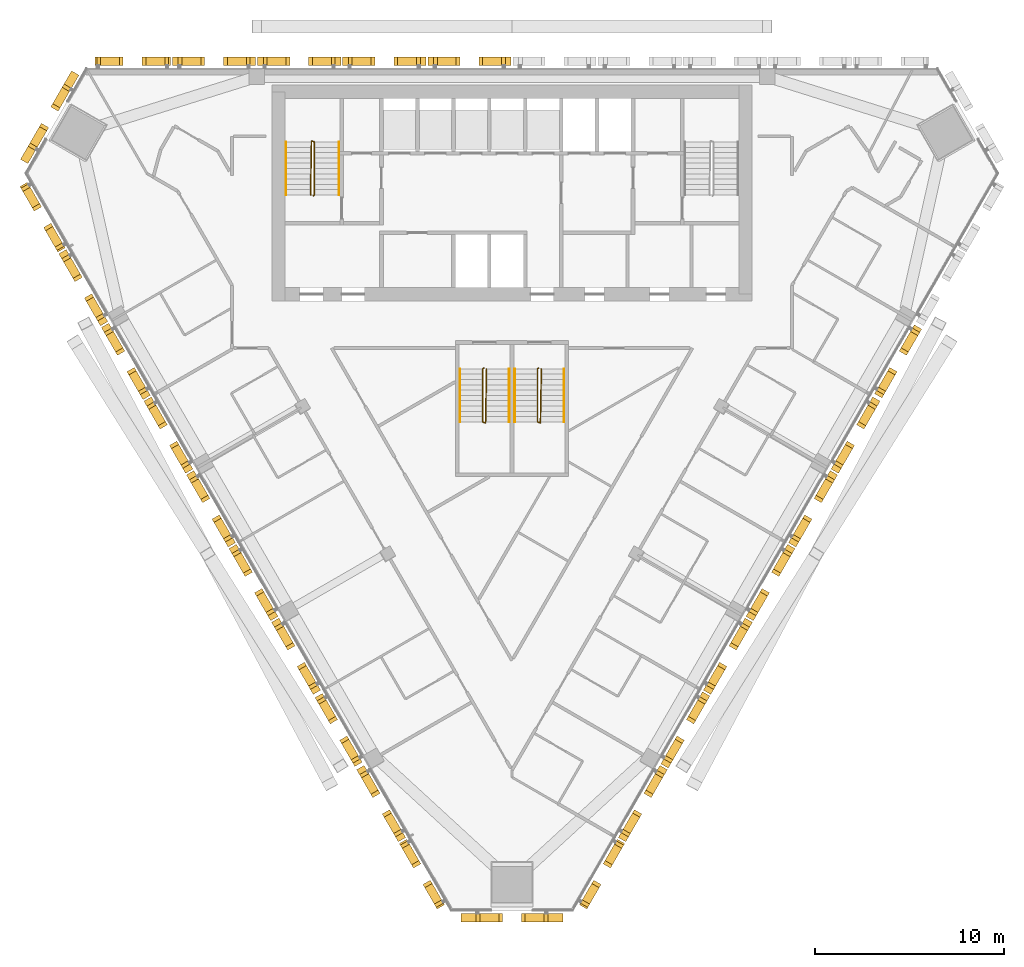
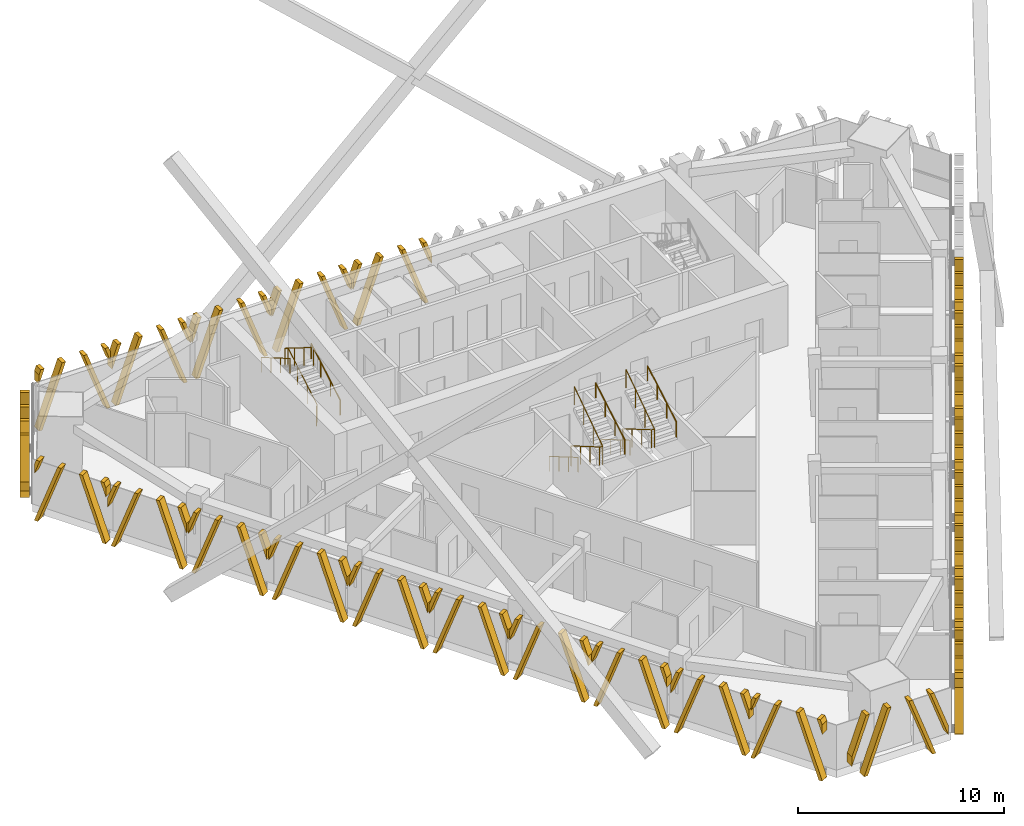
# One storey, part 15 of 17: 25 shading devices, 9 railings.
"""IFC4 building model written with IfcOpenShell, lengths in metres."""

from ifc_helpers import new_model, si_unit, direction, frame, origin, origin_2d, place, context, subcontext, project, spatial, polyline, circle, outline, extrude, source, transform, mapped, material, type_object, element, save


model = new_model("IFC4")

# Units and contexts
model_context = context("Model", 3, precision=1e-05, world=origin(), true_north=direction((0.0, 1.0)))
body_context = subcontext(model_context, "Body", "Model", "MODEL_VIEW")
ifc_project = project(units=[si_unit("LENGTHUNIT", "METRE"), si_unit("AREAUNIT", "SQUARE_METRE"), si_unit("VOLUMEUNIT", "CUBIC_METRE"), si_unit("PLANEANGLEUNIT", "RADIAN"), si_unit("MASSUNIT", "GRAM", prefix="KILO")], contexts=[model_context])

# Site, building, storey
site_placement = place(None, origin())
site = spatial("IfcSite", under=ifc_project, at=site_placement, CompositionType="ELEMENT")
building_placement = place(site_placement, origin())
building = spatial("IfcBuilding", under=site, at=building_placement, Name="Altiplano Prism Tower", CompositionType="ELEMENT")
storey_placement = place(building_placement, frame((0.0, 0.0, 194.39990234375)))
storey = spatial("IfcBuildingStorey", under=building, at=storey_placement, Name="L50", CompositionType="ELEMENT", Elevation=194.39990234375)

# Railings
ifc_material_1 = material(Name="Steel S355", Category="steel")
railing_type_1 = type_object("IfcRailingType", Name="Stair guard 1100", PredefinedType="GUARDRAIL", material=ifc_material_1)
railing_1_placement = place(storey_placement, frame((74.5, 98.25, 0.0)))
element("IfcRailing", 1, at=railing_1_placement, inside=storey, type_object=railing_type_1, Name="L50 ST1 stair guard 1", PredefinedType="GUARDRAIL", context=body_context, shape_type="SweptSolid", body=[
    extrude(circle(Radius=0.02392578125, at=origin_2d()), frame((0.0, 0.0, 1.076171875), z_axis=(0.280456126637, 0.280456126637, 0.917980785237), x_axis=(-0.707106781187, 0.707106781187, 0.0)), (0.0, 0.0, 1.0), 0.178466796875),
    extrude(circle(Radius=0.02392578125, at=origin_2d()), frame((0.050048828125, 0.050048828125, 1.23974609375), z_axis=(0.0, 0.863393664356, 0.504530851732), x_axis=(-1.0, 0.0, 0.0)), (0.0, 0.0, 1.0), 3.2431640625),
    extrude(circle(Radius=0.02392578125, at=origin_2d()), frame((0.050048828125, 2.85009765625, 2.8759765625), z_axis=(-0.949145278916, 0.314838433982, 0.0), x_axis=(-0.314838433982, -0.949145278916, 0.0)), (0.0, 0.0, 1.0), 0.158203125),
    extrude(circle(Radius=0.02392578125, at=origin_2d()), frame((-0.10009765625, 2.89990234375, 2.8759765625), z_axis=(-0.01477401265, -0.845377694409, 0.533964682676), x_axis=(0.999847325713, -0.01747355902, 0.0)), (0.0, 0.0, 1.0), 3.37109375),
    extrude(circle(Radius=0.02099609375, at=origin_2d()), origin(), (0.0, 0.0, 1.0), 1.052001953125),
    extrude(circle(Radius=0.02099609375, at=origin_2d()), frame((0.050048828125, 0.050048828125, 0.163818359375)), (0.0, 0.0, 1.0), 1.052001953125),
    extrude(circle(Radius=0.02099609375, at=origin_2d()), frame((0.050048828125, 0.9833984375, 0.709228515625)), (0.0, 0.0, 1.0), 1.052001953125),
    extrude(circle(Radius=0.02099609375, at=origin_2d()), frame((0.050048828125, 1.916748046875, 1.254638671875)), (0.0, 0.0, 1.0), 1.052001953125),
    extrude(circle(Radius=0.02099609375, at=origin_2d()), frame((0.050048828125, 2.85009765625, 1.800048828125)), (0.0, 0.0, 1.0), 1.052001953125),
    extrude(circle(Radius=0.02099609375, at=origin_2d()), frame((-0.10009765625, 2.89990234375, 1.800048828125)), (0.0, 0.0, 1.0), 1.052001953125),
    extrude(circle(Radius=0.02099609375, at=origin_2d()), frame((-0.11669921875, 1.949951171875, 2.400146484375)), (0.0, 0.0, 1.0), 1.052001953125),
    extrude(circle(Radius=0.02099609375, at=origin_2d()), frame((-0.13330078125, 1.0, 3.0)), (0.0, 0.0, 1.0), 1.052001953125),
    extrude(circle(Radius=0.02099609375, at=origin_2d()), frame((-0.14990234375, 0.050048828125, 3.60009765625)), (0.0, 0.0, 1.0), 1.052001953125),
])
railing_2_placement = place(storey_placement, frame((83.5, 89.14990234375, 0.0)))
element("IfcRailing", 2, at=railing_2_placement, inside=storey, type_object=railing_type_1, Name="L50 ST3A stair guard 1", PredefinedType="GUARDRAIL", context=body_context, shape_type="SweptSolid", body=[
    extrude(circle(Radius=0.02392578125, at=origin_2d()), frame((0.0, 0.0, 1.076171875), z_axis=(-0.280563532951, -0.279194930351, 0.91833234444), x_axis=(0.705375805398, -0.708833529934, 0.0)), (0.0, 0.0, 1.0), 0.178466796875),
    extrude(circle(Radius=0.02392578125, at=origin_2d()), frame((-0.050048828125, -0.0498046875, 1.23974609375), z_axis=(0.0, -0.863393664356, 0.504530851732), x_axis=(1.0, 0.0, 0.0)), (0.0, 0.0, 1.0), 3.2431640625),
    extrude(circle(Radius=0.02392578125, at=origin_2d()), frame((-0.050048828125, -2.849853515625, 2.8759765625), z_axis=(0.948683298051, -0.316227766017, 0.0), x_axis=(0.316227766017, 0.948683298051, 0.0)), (0.0, 0.0, 1.0), 0.158203125),
    extrude(circle(Radius=0.02392578125, at=origin_2d()), frame((0.10009765625, -2.89990234375, 2.8759765625), z_axis=(0.014773108175, 0.84539835705, 0.533931993021), x_axis=(-0.999847351862, 0.017472062685, 0.0)), (0.0, 0.0, 1.0), 3.371337890625),
    extrude(circle(Radius=0.02099609375, at=origin_2d()), origin(), (0.0, 0.0, 1.0), 1.052001953125),
    extrude(circle(Radius=0.02099609375, at=origin_2d()), frame((-0.050048828125, -0.0498046875, 0.163818359375)), (0.0, 0.0, 1.0), 1.052001953125),
    extrude(circle(Radius=0.02099609375, at=origin_2d()), frame((-0.050048828125, -0.983154296875, 0.709228515625)), (0.0, 0.0, 1.0), 1.052001953125),
    extrude(circle(Radius=0.02099609375, at=origin_2d()), frame((-0.050048828125, -1.91650390625, 1.254638671875)), (0.0, 0.0, 1.0), 1.052001953125),
    extrude(circle(Radius=0.02099609375, at=origin_2d()), frame((-0.050048828125, -2.849853515625, 1.800048828125)), (0.0, 0.0, 1.0), 1.052001953125),
    extrude(circle(Radius=0.02099609375, at=origin_2d()), frame((0.10009765625, -2.89990234375, 1.800048828125)), (0.0, 0.0, 1.0), 1.052001953125),
    extrude(circle(Radius=0.02099609375, at=origin_2d()), frame((0.11669921875, -1.949951171875, 2.400146484375)), (0.0, 0.0, 1.0), 1.052001953125),
    extrude(circle(Radius=0.02099609375, at=origin_2d()), frame((0.13330078125, -0.999755859375, 3.0)), (0.0, 0.0, 1.0), 1.052001953125),
    extrude(circle(Radius=0.02099609375, at=origin_2d()), frame((0.14990234375, -0.0498046875, 3.60009765625)), (0.0, 0.0, 1.0), 1.052001953125),
])
railing_3_placement = place(storey_placement, frame((86.39990234375, 89.14990234375, 0.0)))
element("IfcRailing", 3, at=railing_3_placement, inside=storey, type_object=railing_type_1, Name="L50 ST3B stair guard 1", PredefinedType="GUARDRAIL", context=body_context, shape_type="SweptSolid", body=[
    extrude(circle(Radius=0.02392578125, at=origin_2d()), frame((0.0, 0.0, 1.076171875), z_axis=(-0.279301935624, -0.279301935624, 0.918684307863), x_axis=(0.707106781187, -0.707106781187, 0.0)), (0.0, 0.0, 1.0), 0.17822265625),
    extrude(circle(Radius=0.02392578125, at=origin_2d()), frame((-0.0498046875, -0.0498046875, 1.23974609375), z_axis=(0.0, -0.863393664356, 0.504530851732), x_axis=(1.0, 0.0, 0.0)), (0.0, 0.0, 1.0), 3.2431640625),
    extrude(circle(Radius=0.02392578125, at=origin_2d()), frame((-0.0498046875, -2.849853515625, 2.8759765625), z_axis=(0.948528701346, -0.316691178788, 0.0), x_axis=(0.316691178788, 0.948528701346, 0.0)), (0.0, 0.0, 1.0), 0.157958984375),
    extrude(circle(Radius=0.02392578125, at=origin_2d()), frame((0.10009765625, -2.89990234375, 2.8759765625), z_axis=(0.014845509451, 0.845397450405, 0.533931420407), x_axis=(-0.999845851991, 0.017557683712, 0.0)), (0.0, 0.0, 1.0), 3.371337890625),
    extrude(circle(Radius=0.02099609375, at=origin_2d()), origin(), (0.0, 0.0, 1.0), 1.052001953125),
    extrude(circle(Radius=0.02099609375, at=origin_2d()), frame((-0.0498046875, -0.0498046875, 0.163818359375)), (0.0, 0.0, 1.0), 1.052001953125),
    extrude(circle(Radius=0.02099609375, at=origin_2d()), frame((-0.0498046875, -0.983154296875, 0.709228515625)), (0.0, 0.0, 1.0), 1.052001953125),
    extrude(circle(Radius=0.02099609375, at=origin_2d()), frame((-0.0498046875, -1.91650390625, 1.254638671875)), (0.0, 0.0, 1.0), 1.052001953125),
    extrude(circle(Radius=0.02099609375, at=origin_2d()), frame((-0.0498046875, -2.849853515625, 1.800048828125)), (0.0, 0.0, 1.0), 1.052001953125),
    extrude(circle(Radius=0.02099609375, at=origin_2d()), frame((0.10009765625, -2.89990234375, 1.800048828125)), (0.0, 0.0, 1.0), 1.052001953125),
    extrude(circle(Radius=0.02099609375, at=origin_2d()), frame((0.11669921875, -1.949951171875, 2.400146484375)), (0.0, 0.0, 1.0), 1.052001953125),
    extrude(circle(Radius=0.02099609375, at=origin_2d()), frame((0.133544921875, -0.999755859375, 3.0)), (0.0, 0.0, 1.0), 1.052001953125),
    extrude(circle(Radius=0.02099609375, at=origin_2d()), frame((0.150146484375, -0.0498046875, 3.60009765625)), (0.0, 0.0, 1.0), 1.052001953125),
])
railing_type_2 = type_object("IfcRailingType", Name="Stair handrail 900", PredefinedType="HANDRAIL", material=ifc_material_1)
railing_4_placement = place(storey_placement, frame((75.85009765625, 98.300048828125, 0.163818359375)))
element("IfcRailing", 4, at=railing_4_placement, inside=storey, type_object=railing_type_2, Name="L50 ST1 stair handrail 1", PredefinedType="HANDRAIL", context=body_context, shape_type="SweptSolid", body=[
    extrude(circle(Radius=0.02392578125, at=origin_2d()), frame((0.0, 0.0, 0.8759765625), z_axis=(0.0, 0.863393664356, 0.504530851732), x_axis=(-1.0, 0.0, 0.0)), (0.0, 0.0, 1.0), 3.2431640625),
    extrude(circle(Radius=0.02099609375, at=origin_2d()), origin(), (0.0, 0.0, 1.0), 0.851806640625),
    extrude(circle(Radius=0.02099609375, at=origin_2d()), frame((0.0, 0.933349609375, 0.54541015625)), (0.0, 0.0, 1.0), 0.851806640625),
    extrude(circle(Radius=0.02099609375, at=origin_2d()), frame((0.0, 1.86669921875, 1.0908203125)), (0.0, 0.0, 1.0), 0.851806640625),
    extrude(circle(Radius=0.02099609375, at=origin_2d()), frame((0.0, 2.800048828125, 1.63623046875)), (0.0, 0.0, 1.0), 0.851806640625),
])
railing_5_placement = place(storey_placement, frame((73.050048828125, 101.10009765625, 1.963623046875)))
element("IfcRailing", 5, at=railing_5_placement, inside=storey, type_object=railing_type_2, Name="L50 ST1 stair handrail 2", PredefinedType="HANDRAIL", context=body_context, shape_type="SweptSolid", body=[
    extrude(circle(Radius=0.02392578125, at=origin_2d()), frame((0.0, 0.0, 0.8759765625), z_axis=(0.0, -0.863360870873, 0.504586966384), x_axis=(1.0, 0.0, 0.0)), (0.0, 0.0, 1.0), 3.2431640625),
    extrude(circle(Radius=0.02099609375, at=origin_2d()), origin(), (0.0, 0.0, 1.0), 0.851806640625),
    extrude(circle(Radius=0.02099609375, at=origin_2d()), frame((0.0, -0.933349609375, 0.54541015625)), (0.0, 0.0, 1.0), 0.851806640625),
    extrude(circle(Radius=0.02099609375, at=origin_2d()), frame((0.0, -1.86669921875, 1.091064453125)), (0.0, 0.0, 1.0), 0.851806640625),
    extrude(circle(Radius=0.02099609375, at=origin_2d()), frame((0.0, -2.800048828125, 1.636474609375)), (0.0, 0.0, 1.0), 0.851806640625),
])
railing_6_placement = place(storey_placement, frame((82.25, 89.10009765625, 0.163818359375)))
element("IfcRailing", 6, at=railing_6_placement, inside=storey, type_object=railing_type_2, Name="L50 ST3A stair handrail 1", PredefinedType="HANDRAIL", context=body_context, shape_type="SweptSolid", body=[
    extrude(circle(Radius=0.02392578125, at=origin_2d()), frame((0.0, 0.0, 0.8759765625), z_axis=(0.0, -0.863393664356, 0.504530851732), x_axis=(1.0, 0.0, 0.0)), (0.0, 0.0, 1.0), 3.2431640625),
    extrude(circle(Radius=0.02099609375, at=origin_2d()), origin(), (0.0, 0.0, 1.0), 0.851806640625),
    extrude(circle(Radius=0.02099609375, at=origin_2d()), frame((0.0, -0.933349609375, 0.54541015625)), (0.0, 0.0, 1.0), 0.851806640625),
    extrude(circle(Radius=0.02099609375, at=origin_2d()), frame((0.0, -1.86669921875, 1.0908203125)), (0.0, 0.0, 1.0), 0.851806640625),
    extrude(circle(Radius=0.02099609375, at=origin_2d()), frame((0.0, -2.800048828125, 1.63623046875)), (0.0, 0.0, 1.0), 0.851806640625),
])
railing_7_placement = place(storey_placement, frame((84.85009765625, 86.300048828125, 1.963623046875)))
element("IfcRailing", 7, at=railing_7_placement, inside=storey, type_object=railing_type_2, Name="L50 ST3A stair handrail 2", PredefinedType="HANDRAIL", context=body_context, shape_type="SweptSolid", body=[
    extrude(circle(Radius=0.02392578125, at=origin_2d()), frame((0.0, 0.0, 0.8759765625), z_axis=(0.0, 0.863360870873, 0.504586966384), x_axis=(-1.0, 0.0, 0.0)), (0.0, 0.0, 1.0), 3.2431640625),
    extrude(circle(Radius=0.02099609375, at=origin_2d()), origin(), (0.0, 0.0, 1.0), 0.851806640625),
    extrude(circle(Radius=0.02099609375, at=origin_2d()), frame((0.0, 0.933349609375, 0.54541015625)), (0.0, 0.0, 1.0), 0.851806640625),
    extrude(circle(Radius=0.02099609375, at=origin_2d()), frame((0.0, 1.86669921875, 1.091064453125)), (0.0, 0.0, 1.0), 0.851806640625),
    extrude(circle(Radius=0.02099609375, at=origin_2d()), frame((0.0, 2.800048828125, 1.636474609375)), (0.0, 0.0, 1.0), 0.851806640625),
])
railing_8_placement = place(storey_placement, frame((85.14990234375, 89.10009765625, 0.163818359375)))
element("IfcRailing", 8, at=railing_8_placement, inside=storey, type_object=railing_type_2, Name="L50 ST3B stair handrail 1", PredefinedType="HANDRAIL", context=body_context, shape_type="SweptSolid", body=[
    extrude(circle(Radius=0.02392578125, at=origin_2d()), frame((0.0, 0.0, 0.8759765625), z_axis=(0.0, -0.863393664356, 0.504530851732), x_axis=(1.0, 0.0, 0.0)), (0.0, 0.0, 1.0), 3.2431640625),
    extrude(circle(Radius=0.02099609375, at=origin_2d()), origin(), (0.0, 0.0, 1.0), 0.851806640625),
    extrude(circle(Radius=0.02099609375, at=origin_2d()), frame((0.0, -0.933349609375, 0.54541015625)), (0.0, 0.0, 1.0), 0.851806640625),
    extrude(circle(Radius=0.02099609375, at=origin_2d()), frame((0.0, -1.86669921875, 1.0908203125)), (0.0, 0.0, 1.0), 0.851806640625),
    extrude(circle(Radius=0.02099609375, at=origin_2d()), frame((0.0, -2.800048828125, 1.63623046875)), (0.0, 0.0, 1.0), 0.851806640625),
])
railing_9_placement = place(storey_placement, frame((87.75, 86.300048828125, 1.963623046875)))
element("IfcRailing", 9, at=railing_9_placement, inside=storey, type_object=railing_type_2, Name="L50 ST3B stair handrail 2", PredefinedType="HANDRAIL", context=body_context, shape_type="SweptSolid", body=[
    extrude(circle(Radius=0.02392578125, at=origin_2d()), frame((0.0, 0.0, 0.8759765625), z_axis=(0.0, 0.863360870873, 0.504586966384), x_axis=(-1.0, 0.0, 0.0)), (0.0, 0.0, 1.0), 3.2431640625),
    extrude(circle(Radius=0.02099609375, at=origin_2d()), origin(), (0.0, 0.0, 1.0), 0.851806640625),
    extrude(circle(Radius=0.02099609375, at=origin_2d()), frame((0.0, 0.933349609375, 0.54541015625)), (0.0, 0.0, 1.0), 0.851806640625),
    extrude(circle(Radius=0.02099609375, at=origin_2d()), frame((0.0, 1.86669921875, 1.091064453125)), (0.0, 0.0, 1.0), 0.851806640625),
    extrude(circle(Radius=0.02099609375, at=origin_2d()), frame((0.0, 2.800048828125, 1.636474609375)), (0.0, 0.0, 1.0), 0.851806640625),
])

# Shading devices
ifc_material_2 = material(Name="Warm limestone cast stone", Category="masonry")
shading_device_type_1 = type_object("IfcShadingDeviceType", Name="Stone fin panel, standard unit", PredefinedType="USERDEFINED", material=ifc_material_2)
shared_shape_1 = source(origin(), body_context, "Body", "SweptSolid", [
    extrude(outline(polyline([(-2.199951171875, 2.226318359375), (-1.699951171875, 3.60009765625), (-1.89990234375, 3.60009765625), (-2.199951171875, 2.77587890625), (-2.199951171875, 2.226318359375)])), frame((0.0, -0.14990234375, 0.0), z_axis=(0.0, -1.0, 0.0), x_axis=(1.0, 0.0, 0.0)), (0.0, 0.0, 1.0), 0.4501953125),
    extrude(outline(polyline([(-2.01025390625, 0.0), (-1.810302734375, 0.0), (-0.5, 3.60009765625), (-0.699951171875, 3.60009765625), (-2.01025390625, 0.0)])), frame((0.0, -0.14990234375, 0.0), z_axis=(0.0, -1.0, 0.0), x_axis=(1.0, 0.0, 0.0)), (0.0, 0.0, 1.0), 0.4501953125),
    extrude(outline(polyline([(1.810302734375, 0.0), (2.01025390625, 0.0), (0.699951171875, 3.60009765625), (0.5, 3.60009765625), (1.810302734375, 0.0)])), frame((0.0, -0.14990234375, 0.0), z_axis=(0.0, -1.0, 0.0), x_axis=(1.0, 0.0, 0.0)), (0.0, 0.0, 1.0), 0.4501953125),
    extrude(outline(polyline([(2.199951171875, 2.77587890625), (1.89990234375, 3.60009765625), (1.699951171875, 3.60009765625), (2.199951171875, 2.226318359375), (2.199951171875, 2.77587890625)])), frame((0.0, -0.14990234375, 0.0), z_axis=(0.0, -1.0, 0.0), x_axis=(1.0, 0.0, 0.0)), (0.0, 0.0, 1.0), 0.4501953125),
])
shading_device_1_placement = place(storey_placement, origin())
element("IfcShadingDevice", 10, at=shading_device_1_placement, inside=storey, type_object=shading_device_type_1, Name="Fin L50 north face 6", ObjectType="FIN", PredefinedType="USERDEFINED", context=body_context, shape_type="MappedRepresentation", body=[
    mapped(shared_shape_1, transform((82.75, 105.0, -0.449951171875), x_axis=(-1.0, 0.0, 0.0), y_axis=(0.0, -1.0, 0.0), z_axis=(0.0, 0.0, 1.0))),
])
shading_device_2_placement = place(storey_placement, origin())
element("IfcShadingDevice", 11, at=shading_device_2_placement, inside=storey, type_object=shading_device_type_1, Name="Fin L50 north face 7", ObjectType="FIN", PredefinedType="USERDEFINED", context=body_context, shape_type="MappedRepresentation", body=[
    mapped(shared_shape_1, transform((78.25, 105.0, -0.449951171875), x_axis=(-1.0, 0.0, 0.0), y_axis=(0.0, -1.0, 0.0), z_axis=(0.0, 0.0, 1.0))),
])
shading_device_3_placement = place(storey_placement, origin())
element("IfcShadingDevice", 12, at=shading_device_3_placement, inside=storey, type_object=shading_device_type_1, Name="Fin L50 north face 8", ObjectType="FIN", PredefinedType="USERDEFINED", context=body_context, shape_type="MappedRepresentation", body=[
    mapped(shared_shape_1, transform((73.75, 105.0, -0.449951171875), x_axis=(-1.0, 0.0, 0.0), y_axis=(0.0, -1.0, 0.0), z_axis=(0.0, 0.0, 1.0))),
])
shading_device_4_placement = place(storey_placement, origin())
element("IfcShadingDevice", 13, at=shading_device_4_placement, inside=storey, type_object=shading_device_type_1, Name="Fin L50 north face 9", ObjectType="FIN", PredefinedType="USERDEFINED", context=body_context, shape_type="MappedRepresentation", body=[
    mapped(shared_shape_1, transform((69.25, 105.0, -0.449951171875), x_axis=(-1.0, 0.0, 0.0), y_axis=(0.0, -1.0, 0.0), z_axis=(0.0, 0.0, 1.0))),
])
shading_device_5_placement = place(storey_placement, origin())
element("IfcShadingDevice", 14, at=shading_device_5_placement, inside=storey, type_object=shading_device_type_1, Name="Fin L50 south-west face 2", ObjectType="FIN", PredefinedType="USERDEFINED", context=body_context, shape_type="MappedRepresentation", body=[
    mapped(shared_shape_1, transform((62.657958984375, 93.582275390625, -0.449951171875), x_axis=(0.499999989059, -0.866025410101, 0.0), y_axis=(0.866025410101, 0.499999989059, 0.0), z_axis=(0.0, 0.0, 1.0))),
])
shading_device_6_placement = place(storey_placement, origin())
element("IfcShadingDevice", 15, at=shading_device_6_placement, inside=storey, type_object=shading_device_type_1, Name="Fin L50 south-west face 3", ObjectType="FIN", PredefinedType="USERDEFINED", context=body_context, shape_type="MappedRepresentation", body=[
    mapped(shared_shape_1, transform((64.907958984375, 89.68505859375, -0.449951171875), x_axis=(0.499999989059, -0.866025410101, 0.0), y_axis=(0.866025410101, 0.499999989059, 0.0), z_axis=(0.0, 0.0, 1.0))),
])
shading_device_7_placement = place(storey_placement, origin())
element("IfcShadingDevice", 16, at=shading_device_7_placement, inside=storey, type_object=shading_device_type_1, Name="Fin L50 south-west face 4", ObjectType="FIN", PredefinedType="USERDEFINED", context=body_context, shape_type="MappedRepresentation", body=[
    mapped(shared_shape_1, transform((67.157958984375, 85.7880859375, -0.449951171875), x_axis=(0.499999989059, -0.866025410101, 0.0), y_axis=(0.866025410101, 0.499999989059, 0.0), z_axis=(0.0, 0.0, 1.0))),
])
shading_device_8_placement = place(storey_placement, origin())
element("IfcShadingDevice", 17, at=shading_device_8_placement, inside=storey, type_object=shading_device_type_1, Name="Fin L50 south-west face 5", ObjectType="FIN", PredefinedType="USERDEFINED", context=body_context, shape_type="MappedRepresentation", body=[
    mapped(shared_shape_1, transform((69.407958984375, 81.890869140625, -0.449951171875), x_axis=(0.499999989059, -0.866025410101, 0.0), y_axis=(0.866025410101, 0.499999989059, 0.0), z_axis=(0.0, 0.0, 1.0))),
])
shading_device_9_placement = place(storey_placement, origin())
element("IfcShadingDevice", 18, at=shading_device_9_placement, inside=storey, type_object=shading_device_type_1, Name="Fin L50 south-west face 6", ObjectType="FIN", PredefinedType="USERDEFINED", context=body_context, shape_type="MappedRepresentation", body=[
    mapped(shared_shape_1, transform((71.657958984375, 77.993896484375, -0.449951171875), x_axis=(0.499999989059, -0.866025410101, 0.0), y_axis=(0.866025410101, 0.499999989059, 0.0), z_axis=(0.0, 0.0, 1.0))),
])
shading_device_10_placement = place(storey_placement, origin())
element("IfcShadingDevice", 19, at=shading_device_10_placement, inside=storey, type_object=shading_device_type_1, Name="Fin L50 south-west face 7", ObjectType="FIN", PredefinedType="USERDEFINED", context=body_context, shape_type="MappedRepresentation", body=[
    mapped(shared_shape_1, transform((73.907958984375, 74.0966796875, -0.449951171875), x_axis=(0.499999989059, -0.866025410101, 0.0), y_axis=(0.866025410101, 0.499999989059, 0.0), z_axis=(0.0, 0.0, 1.0))),
])
shading_device_11_placement = place(storey_placement, origin())
element("IfcShadingDevice", 20, at=shading_device_11_placement, inside=storey, type_object=shading_device_type_1, Name="Fin L50 south-west face 9", ObjectType="FIN", PredefinedType="USERDEFINED", context=body_context, shape_type="MappedRepresentation", body=[
    mapped(shared_shape_1, transform((78.407958984375, 66.302490234375, -0.449951171875), x_axis=(0.499999989059, -0.866025410101, 0.0), y_axis=(0.866025410101, 0.499999989059, 0.0), z_axis=(0.0, 0.0, 1.0))),
])
shading_device_12_placement = place(storey_placement, origin())
element("IfcShadingDevice", 21, at=shading_device_12_placement, inside=storey, type_object=shading_device_type_1, Name="Fin L50 south-east face 2", ObjectType="FIN", PredefinedType="USERDEFINED", context=body_context, shape_type="MappedRepresentation", body=[
    mapped(shared_shape_1, transform((91.592041015625, 66.302490234375, -0.449951171875), x_axis=(0.499999989059, 0.866025410101, 0.0), y_axis=(-0.866025410101, 0.499999989059, 0.0), z_axis=(0.0, 0.0, 1.0))),
])
shading_device_13_placement = place(storey_placement, origin())
element("IfcShadingDevice", 22, at=shading_device_13_placement, inside=storey, type_object=shading_device_type_1, Name="Fin L50 south-east face 3", ObjectType="FIN", PredefinedType="USERDEFINED", context=body_context, shape_type="MappedRepresentation", body=[
    mapped(shared_shape_1, transform((93.842041015625, 70.19970703125, -0.449951171875), x_axis=(0.499999989059, 0.866025410101, 0.0), y_axis=(-0.866025410101, 0.499999989059, 0.0), z_axis=(0.0, 0.0, 1.0))),
])
shading_device_14_placement = place(storey_placement, origin())
element("IfcShadingDevice", 23, at=shading_device_14_placement, inside=storey, type_object=shading_device_type_1, Name="Fin L50 south-east face 4", ObjectType="FIN", PredefinedType="USERDEFINED", context=body_context, shape_type="MappedRepresentation", body=[
    mapped(shared_shape_1, transform((96.092041015625, 74.0966796875, -0.449951171875), x_axis=(0.499999989059, 0.866025410101, 0.0), y_axis=(-0.866025410101, 0.499999989059, 0.0), z_axis=(0.0, 0.0, 1.0))),
])
shading_device_15_placement = place(storey_placement, origin())
element("IfcShadingDevice", 24, at=shading_device_15_placement, inside=storey, type_object=shading_device_type_1, Name="Fin L50 south-east face 5", ObjectType="FIN", PredefinedType="USERDEFINED", context=body_context, shape_type="MappedRepresentation", body=[
    mapped(shared_shape_1, transform((98.342041015625, 77.993896484375, -0.449951171875), x_axis=(0.499999989059, 0.866025410101, 0.0), y_axis=(-0.866025410101, 0.499999989059, 0.0), z_axis=(0.0, 0.0, 1.0))),
])
shading_device_16_placement = place(storey_placement, origin())
element("IfcShadingDevice", 25, at=shading_device_16_placement, inside=storey, type_object=shading_device_type_1, Name="Fin L50 south-east face 6", ObjectType="FIN", PredefinedType="USERDEFINED", context=body_context, shape_type="MappedRepresentation", body=[
    mapped(shared_shape_1, transform((100.592041015625, 81.890869140625, -0.449951171875), x_axis=(0.499999989059, 0.866025410101, 0.0), y_axis=(-0.866025410101, 0.499999989059, 0.0), z_axis=(0.0, 0.0, 1.0))),
])
shading_device_17_placement = place(storey_placement, origin())
element("IfcShadingDevice", 26, at=shading_device_17_placement, inside=storey, type_object=shading_device_type_1, Name="Fin L50 south-east face 7", ObjectType="FIN", PredefinedType="USERDEFINED", context=body_context, shape_type="MappedRepresentation", body=[
    mapped(shared_shape_1, transform((102.842041015625, 85.7880859375, -0.449951171875), x_axis=(0.499999989059, 0.866025410101, 0.0), y_axis=(-0.866025410101, 0.499999989059, 0.0), z_axis=(0.0, 0.0, 1.0))),
])
shading_device_type_2 = type_object("IfcShadingDeviceType", Name="Stone fin panel, chamfer unit", PredefinedType="USERDEFINED", material=ifc_material_2)
shared_shape_2 = source(origin(), body_context, "Body", "SweptSolid", [
    extrude(outline(polyline([(-2.699951171875, 0.8525390625), (-1.699951171875, 3.60009765625), (-1.89990234375, 3.60009765625), (-2.699951171875, 1.402099609375), (-2.699951171875, 0.8525390625)])), frame((0.0, -0.14990234375, 0.0), z_axis=(0.0, -1.0, 0.0), x_axis=(1.0, 0.0, 0.0)), (0.0, 0.0, 1.0), 0.4501953125),
    extrude(outline(polyline([(-2.01025390625, 0.0), (-1.810302734375, 0.0), (-0.5, 3.60009765625), (-0.699951171875, 3.60009765625), (-2.01025390625, 0.0)])), frame((0.0, -0.14990234375, 0.0), z_axis=(0.0, -1.0, 0.0), x_axis=(1.0, 0.0, 0.0)), (0.0, 0.0, 1.0), 0.4501953125),
    extrude(outline(polyline([(1.810302734375, 0.0), (2.01025390625, 0.0), (0.699951171875, 3.60009765625), (0.5, 3.60009765625), (1.810302734375, 0.0)])), frame((0.0, -0.14990234375, 0.0), z_axis=(0.0, -1.0, 0.0), x_axis=(1.0, 0.0, 0.0)), (0.0, 0.0, 1.0), 0.4501953125),
    extrude(outline(polyline([(2.699951171875, 1.402099609375), (1.89990234375, 3.60009765625), (1.699951171875, 3.60009765625), (2.699951171875, 0.8525390625), (2.699951171875, 1.402099609375)])), frame((0.0, -0.14990234375, 0.0), z_axis=(0.0, -1.0, 0.0), x_axis=(1.0, 0.0, 0.0)), (0.0, 0.0, 1.0), 0.4501953125),
])
shading_device_18_placement = place(storey_placement, origin())
element("IfcShadingDevice", 27, at=shading_device_18_placement, inside=storey, type_object=shading_device_type_2, Name="Fin L50 north-west chamfer 1", ObjectType="FIN", PredefinedType="USERDEFINED", context=body_context, shape_type="MappedRepresentation", body=[
    mapped(shared_shape_2, transform((60.881591796875, 102.2197265625, -0.449951171875), x_axis=(-0.499999923104, -0.86602544818, 0.0), y_axis=(0.86602544818, -0.499999923104, 0.0), z_axis=(0.0, 0.0, 1.0))),
])
shading_device_19_placement = place(storey_placement, origin())
element("IfcShadingDevice", 28, at=shading_device_19_placement, inside=storey, type_object=shading_device_type_2, Name="Fin L50 south chamfer 1", ObjectType="FIN", PredefinedType="USERDEFINED", context=body_context, shape_type="MappedRepresentation", body=[
    mapped(shared_shape_2, transform((85.0, 60.445556640625, -0.449951171875), x_axis=(1.0, 0.0, 0.0), y_axis=(0.0, 1.0, 0.0), z_axis=(0.0, 0.0, 1.0))),
])
shared_shape_3 = source(origin(), body_context, "Body", "SweptSolid", [
    extrude(outline(polyline([(-2.10009765625, 2.5009765625), (-1.699951171875, 3.60009765625), (-1.89990234375, 3.60009765625), (-2.10009765625, 3.050537109375), (-2.10009765625, 2.5009765625)])), frame((0.0, -0.14990234375, 0.0), z_axis=(0.0, -1.0, 0.0), x_axis=(1.0, 0.0, 0.0)), (0.0, 0.0, 1.0), 0.4501953125),
    extrude(outline(polyline([(-2.01025390625, 0.0), (-1.810302734375, 0.0), (-0.5, 3.60009765625), (-0.699951171875, 3.60009765625), (-2.01025390625, 0.0)])), frame((0.0, -0.14990234375, 0.0), z_axis=(0.0, -1.0, 0.0), x_axis=(1.0, 0.0, 0.0)), (0.0, 0.0, 1.0), 0.4501953125),
    extrude(outline(polyline([(1.810302734375, 0.0), (2.01025390625, 0.0), (0.699951171875, 3.60009765625), (0.5, 3.60009765625), (1.810302734375, 0.0)])), frame((0.0, -0.14990234375, 0.0), z_axis=(0.0, -1.0, 0.0), x_axis=(1.0, 0.0, 0.0)), (0.0, 0.0, 1.0), 0.4501953125),
    extrude(outline(polyline([(2.10009765625, 3.050537109375), (1.89990234375, 3.60009765625), (1.699951171875, 3.60009765625), (2.10009765625, 2.5009765625), (2.10009765625, 3.050537109375)])), frame((0.0, -0.14990234375, 0.0), z_axis=(0.0, -1.0, 0.0), x_axis=(1.0, 0.0, 0.0)), (0.0, 0.0, 1.0), 0.4501953125),
])
shading_device_20_placement = place(storey_placement, origin())
element("IfcShadingDevice", 29, at=shading_device_20_placement, inside=storey, type_object=shading_device_type_1, Name="Fin L50 south-west face 8", ObjectType="FIN", PredefinedType="USERDEFINED", context=body_context, shape_type="MappedRepresentation", body=[
    mapped(shared_shape_3, transform((76.157958984375, 70.19970703125, -0.449951171875), x_axis=(0.499999989059, -0.866025410101, 0.0), y_axis=(0.866025410101, 0.499999989059, 0.0), z_axis=(0.0, 0.0, 1.0))),
])
shading_device_21_placement = place(storey_placement, origin())
element("IfcShadingDevice", 30, at=shading_device_21_placement, inside=storey, type_object=shading_device_type_1, Name="Fin L50 south-east face 8", ObjectType="FIN", PredefinedType="USERDEFINED", context=body_context, shape_type="MappedRepresentation", body=[
    mapped(shared_shape_3, transform((105.092041015625, 89.685302734375, -0.449951171875), x_axis=(0.499999989059, 0.866025410101, 0.0), y_axis=(-0.866025410101, 0.499999989059, 0.0), z_axis=(0.0, 0.0, 1.0))),
])
shared_shape_4 = source(origin(), body_context, "Body", "SweptSolid", [
    extrude(outline(polyline([(-2.0, 0.0), (-1.810302734375, 0.0), (-0.5, 3.60009765625), (-0.699951171875, 3.60009765625), (-2.0, 0.0283203125), (-2.0, 0.0)])), frame((0.0, -0.14990234375, 0.0), z_axis=(0.0, -1.0, 0.0), x_axis=(1.0, 0.0, 0.0)), (0.0, 0.0, 1.0), 0.4501953125),
    extrude(outline(polyline([(-2.0, 2.77587890625), (-1.699951171875, 3.60009765625), (-1.89990234375, 3.60009765625), (-2.0, 3.3251953125), (-2.0, 2.77587890625)])), frame((0.0, -0.14990234375, 0.0), z_axis=(0.0, -1.0, 0.0), x_axis=(1.0, 0.0, 0.0)), (0.0, 0.0, 1.0), 0.4501953125),
    extrude(outline(polyline([(1.810302734375, 0.0), (2.0, 0.0), (2.0, 0.0283203125), (0.699951171875, 3.60009765625), (0.5, 3.60009765625), (1.810302734375, 0.0)])), frame((0.0, -0.14990234375, 0.0), z_axis=(0.0, -1.0, 0.0), x_axis=(1.0, 0.0, 0.0)), (0.0, 0.0, 1.0), 0.4501953125),
    extrude(outline(polyline([(2.0, 3.3251953125), (1.89990234375, 3.60009765625), (1.699951171875, 3.60009765625), (2.0, 2.77587890625), (2.0, 3.3251953125)])), frame((0.0, -0.14990234375, 0.0), z_axis=(0.0, -1.0, 0.0), x_axis=(1.0, 0.0, 0.0)), (0.0, 0.0, 1.0), 0.4501953125),
])
shading_device_22_placement = place(storey_placement, origin())
element("IfcShadingDevice", 31, at=shading_device_22_placement, inside=storey, type_object=shading_device_type_1, Name="Fin L50 north face 10", ObjectType="FIN", PredefinedType="USERDEFINED", context=body_context, shape_type="MappedRepresentation", body=[
    mapped(shared_shape_4, transform((64.943359375, 105.0, -0.449951171875), x_axis=(-1.0, 0.0, 0.0), y_axis=(0.0, -1.0, 0.0), z_axis=(0.0, 0.0, 1.0))),
])
shading_device_23_placement = place(storey_placement, origin())
element("IfcShadingDevice", 32, at=shading_device_23_placement, inside=storey, type_object=shading_device_type_1, Name="Fin L50 south-west face 1", ObjectType="FIN", PredefinedType="USERDEFINED", context=body_context, shape_type="MappedRepresentation", body=[
    mapped(shared_shape_4, transform((60.504638671875, 97.31201171875, -0.449951171875), x_axis=(0.499999989059, -0.866025410101, 0.0), y_axis=(0.866025410101, 0.499999989059, 0.0), z_axis=(0.0, 0.0, 1.0))),
])
shading_device_24_placement = place(storey_placement, origin())
element("IfcShadingDevice", 33, at=shading_device_24_placement, inside=storey, type_object=shading_device_type_1, Name="Fin L50 south-west face 10", ObjectType="FIN", PredefinedType="USERDEFINED", context=body_context, shape_type="MappedRepresentation", body=[
    mapped(shared_shape_4, transform((80.561279296875, 62.572998046875, -0.449951171875), x_axis=(0.499999989059, -0.866025410101, 0.0), y_axis=(0.866025410101, 0.499999989059, 0.0), z_axis=(0.0, 0.0, 1.0))),
])
shading_device_25_placement = place(storey_placement, origin())
element("IfcShadingDevice", 34, at=shading_device_25_placement, inside=storey, type_object=shading_device_type_1, Name="Fin L50 south-east face 1", ObjectType="FIN", PredefinedType="USERDEFINED", context=body_context, shape_type="MappedRepresentation", body=[
    mapped(shared_shape_4, transform((89.438720703125, 62.572998046875, -0.449951171875), x_axis=(0.499999989059, 0.866025410101, 0.0), y_axis=(-0.866025410101, 0.499999989059, 0.0), z_axis=(0.0, 0.0, 1.0))),
])

save(model, "model.ifc")
